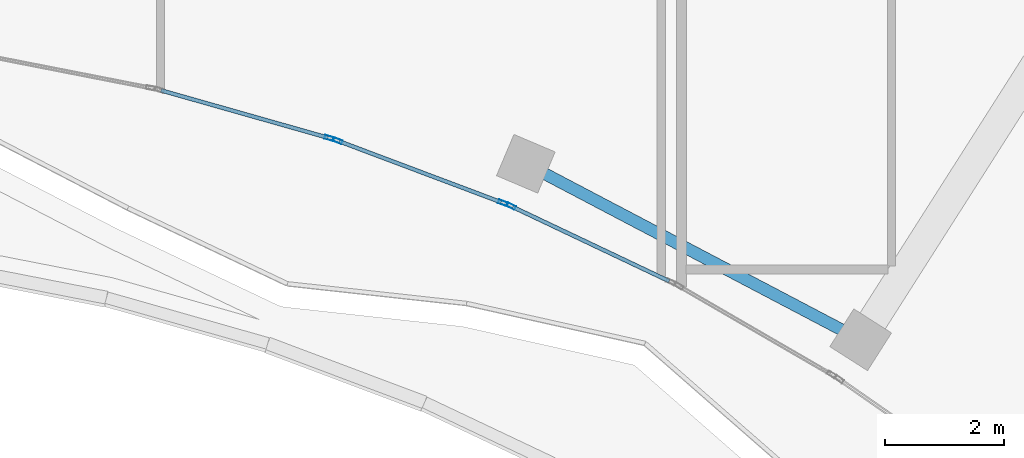
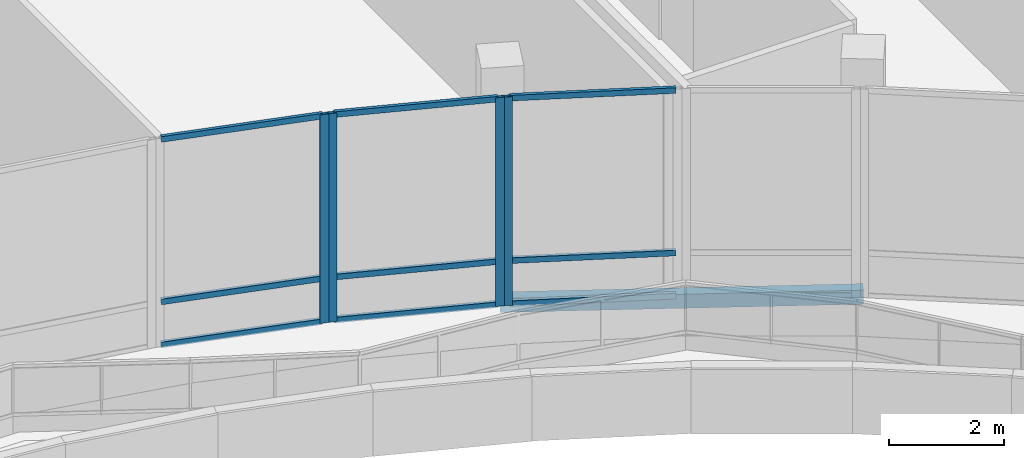
# One storey, part 103 of 168: 13 members, 1 beam, 3 elements without a shape of their own.
"""IFC4 building model written with IfcOpenShell, lengths in metres."""

from ifc_helpers import new_model, si_unit, direction, frame, origin, origin_2d, place, context, subcontext, project, spatial, hollow_rectangle, extrude, material, material_profile, profile_set, type_object, element, aggregate, save


model = new_model("IFC4")

# Units and contexts
model_context = context("Model", 3, precision=1e-05, world=origin(), true_north=direction((0.0, 1.0)))
body_context = subcontext(model_context, "Body", "Model", "MODEL_VIEW")
ifc_project = project(units=[si_unit("LENGTHUNIT", "METRE"), si_unit("AREAUNIT", "SQUARE_METRE"), si_unit("VOLUMEUNIT", "CUBIC_METRE"), si_unit("PLANEANGLEUNIT", "RADIAN"), si_unit("MASSUNIT", "GRAM", prefix="KILO")], contexts=[model_context])

# Site, building, storey
site_placement = place(None, origin())
site = spatial("IfcSite", under=ifc_project, at=site_placement, CompositionType="ELEMENT")
building_placement = place(site_placement, origin())
building = spatial("IfcBuilding", under=site, at=building_placement, Name="Selatvlak General Hospital", CompositionType="ELEMENT")
storey_placement = place(building_placement, frame((0.0, 0.0, 5.39990234375)))
storey = spatial("IfcBuildingStorey", under=building, at=storey_placement, Name="L01", CompositionType="ELEMENT", Elevation=5.39990234375)

# Beam
ifc_material_1 = material(Name="Steel S355", Category="steel")
ifc_material_profile_1 = material_profile(ifc_material_1, hollow_rectangle(XDim=0.199951171875, YDim=0.300048828125, WallThickness=0.011962890625, at=origin_2d()), Name="RHS 300x200x12")
ifc_profile_set_1 = profile_set([ifc_material_profile_1], Name="Steel S355")
beam_type = type_object("IfcBeamType", Name="BM-SP3", PredefinedType="SPANDREL", material=ifc_profile_set_1)
beam_placement = place(storey_placement, frame((154.927978515625, 51.716064453125, -0.469970703125), z_axis=(0.885186813572, -0.46523575215, 0.0), x_axis=(0.46523575215, 0.885186813572, 0.0)))
element("IfcBeam", 1, at=beam_placement, inside=storey, type_object=beam_type, Name="Beam BMR-L01-0765", PredefinedType="SPANDREL", context=body_context, shape_type="SweptSolid", body=[
    extrude(hollow_rectangle(XDim=0.199951171875, YDim=0.300048828125, WallThickness=0.011962890625, at=origin_2d()), origin(), (0.0, 0.0, 1.0), 6.345458984375),
])

# Curtain wall, member
ifc_material_2 = material(Name="Solar-control Low-E double glazing", Category="glass")
curtain_wall_type_1 = type_object("IfcCurtainWallType", Name="CW-CW-01", PredefinedType="USERDEFINED", material=ifc_material_2)
curtain_wall_1_placement = place(storey_placement, origin())
curtain_wall_1 = element("IfcCurtainWall", 2, at=curtain_wall_1_placement, inside=storey, type_object=curtain_wall_type_1, Name="Glazed facade curtain wall CW-L01-0147", ObjectType="UNITISED CURTAIN WALL", PredefinedType="USERDEFINED")
ifc_material_3 = material(Name="Dark anodised aluminium mullion", Category="aluminium")
ifc_material_profile_2 = material_profile(ifc_material_3, hollow_rectangle(XDim=0.06494140625, YDim=0.159912109375, WallThickness=0.00390625, at=origin_2d()), Name="AL-MUL 65x160x4")
ifc_profile_set_2 = profile_set([ifc_material_profile_2], Name="Dark anodised aluminium mullion")
member_type_1 = type_object("IfcMemberType", Name="CWM-01", PredefinedType="MULLION", material=ifc_profile_set_2)
member_1_placement = place(storey_placement, frame((154.680419921875, 51.005126953125, 0.0), z_axis=(0.0, 0.0, 1.0), x_axis=(-0.428525558966, -0.903529659343, 0.0)))
member_1 = element("IfcMember", 3, at=member_1_placement, type_object=member_type_1, Name="CW-01 mullion 2", PredefinedType="MULLION", context=body_context, shape_type="SweptSolid", body=[
    extrude(hollow_rectangle(XDim=0.06494140625, YDim=0.159912109375, WallThickness=0.00390625, at=origin_2d()), origin(), (0.0, 0.0, 1.0), 4.445068359375),
])

# Curtain wall, members
curtain_wall_type_2 = type_object("IfcCurtainWallType", Name="CW-CW-02", PredefinedType="USERDEFINED", material=ifc_material_2)
curtain_wall_2_placement = place(storey_placement, origin())
curtain_wall_2 = element("IfcCurtainWall", 4, at=curtain_wall_2_placement, inside=storey, type_object=curtain_wall_type_2, Name="Glazed facade curtain wall CW-L01-0148", ObjectType="UNITISED CURTAIN WALL", PredefinedType="USERDEFINED")
member_2_placement = place(storey_placement, frame((154.545654296875, 51.059326171875, 0.0), z_axis=(0.0, 0.0, 1.0), x_axis=(-0.352027174905, -0.935989779927, 0.0)))
member_2 = element("IfcMember", 5, at=member_2_placement, type_object=member_type_1, Name="CW-02 mullion 1", PredefinedType="MULLION", context=body_context, shape_type="SweptSolid", body=[
    extrude(hollow_rectangle(XDim=0.06494140625, YDim=0.159912109375, WallThickness=0.00390625, at=origin_2d()), origin(), (0.0, 0.0, 1.0), 4.445068359375),
])
member_3_placement = place(storey_placement, frame((151.76953125, 52.103515625, 0.0), z_axis=(0.0, 0.0, 1.0), x_axis=(-0.352027174905, -0.935989779927, 0.0)))
member_3 = element("IfcMember", 6, at=member_3_placement, type_object=member_type_1, Name="CW-02 mullion 2", PredefinedType="MULLION", context=body_context, shape_type="SweptSolid", body=[
    extrude(hollow_rectangle(XDim=0.06494140625, YDim=0.159912109375, WallThickness=0.00390625, at=origin_2d()), origin(), (0.0, 0.0, 1.0), 4.445068359375),
])

# Curtain wall, member
curtain_wall_3_placement = place(storey_placement, origin())
curtain_wall_3 = element("IfcCurtainWall", 7, at=curtain_wall_3_placement, inside=storey, type_object=curtain_wall_type_1, Name="Glazed facade curtain wall CW-L01-0149", ObjectType="UNITISED CURTAIN WALL", PredefinedType="USERDEFINED")
member_4_placement = place(storey_placement, frame((151.6318359375, 52.14697265625, 0.0), z_axis=(0.0, 0.0, 1.0), x_axis=(-0.272846888748, -0.962057469853, 0.0)))
member_4 = element("IfcMember", 8, at=member_4_placement, type_object=member_type_1, Name="CW-01 mullion 1", PredefinedType="MULLION", context=body_context, shape_type="SweptSolid", body=[
    extrude(hollow_rectangle(XDim=0.06494140625, YDim=0.159912109375, WallThickness=0.00390625, at=origin_2d()), origin(), (0.0, 0.0, 1.0), 4.445068359375),
])

# Member
ifc_material_profile_3 = material_profile(ifc_material_3, hollow_rectangle(XDim=0.06494140625, YDim=0.1201171875, WallThickness=0.00390625, at=origin_2d()), Name="AL-TRN 65x120x4")
ifc_profile_set_3 = profile_set([ifc_material_profile_3], Name="Dark anodised aluminium mullion")
member_type_2 = type_object("IfcMemberType", Name="CWT-01", PredefinedType="USERDEFINED", material=ifc_profile_set_3)
member_5_placement = place(storey_placement, frame((157.333251953125, 49.746826171875, 0.03271484375), z_axis=(-0.903516867621, 0.42855252878, 0.0), x_axis=(-0.42855252878, -0.903516867621, 0.0)))
member_5 = element("IfcMember", 9, at=member_5_placement, type_object=member_type_2, Name="CW-01 transom 1.1", ObjectType="TRANSOM", PredefinedType="USERDEFINED", context=body_context, shape_type="SweptSolid", body=[
    extrude(hollow_rectangle(XDim=0.06494140625, YDim=0.1201171875, WallThickness=0.00390625, at=origin_2d()), origin(), (0.0, 0.0, 1.0), 2.90380859375),
])

member_6_placement = place(storey_placement, frame((157.333251953125, 49.746826171875, 0.9501953125), z_axis=(-0.903516867621, 0.42855252878, 0.0), x_axis=(-0.42855252878, -0.903516867621, 0.0)))
member_6 = element("IfcMember", 10, at=member_6_placement, type_object=member_type_2, Name="CW-01 transom 1.2", ObjectType="TRANSOM", PredefinedType="USERDEFINED", context=body_context, shape_type="SweptSolid", body=[
    extrude(hollow_rectangle(XDim=0.06494140625, YDim=0.1201171875, WallThickness=0.00390625, at=origin_2d()), origin(), (0.0, 0.0, 1.0), 2.90380859375),
])

member_7_placement = place(storey_placement, frame((157.333251953125, 49.746826171875, 4.41259765625), z_axis=(-0.903516867621, 0.42855252878, 0.0), x_axis=(-0.42855252878, -0.903516867621, 0.0)))
member_7 = element("IfcMember", 11, at=member_7_placement, type_object=member_type_2, Name="CW-01 transom 1.3", ObjectType="TRANSOM", PredefinedType="USERDEFINED", context=body_context, shape_type="SweptSolid", body=[
    extrude(hollow_rectangle(XDim=0.06494140625, YDim=0.1201171875, WallThickness=0.00390625, at=origin_2d()), origin(), (0.0, 0.0, 1.0), 2.90380859375),
])

aggregate(curtain_wall_1, [member_1, member_5, member_6, member_7])

member_8_placement = place(storey_placement, frame((154.51513671875, 51.07080078125, 0.03271484375), z_axis=(-0.935989809252, 0.352027096934, 0.0), x_axis=(-0.352027096934, -0.935989809252, 0.0)))
member_8 = element("IfcMember", 12, at=member_8_placement, type_object=member_type_2, Name="CW-02 transom 1.1", ObjectType="TRANSOM", PredefinedType="USERDEFINED", context=body_context, shape_type="SweptSolid", body=[
    extrude(hollow_rectangle(XDim=0.06494140625, YDim=0.1201171875, WallThickness=0.00390625, at=origin_2d()), origin(), (0.0, 0.0, 1.0), 2.901123046875),
])

member_9_placement = place(storey_placement, frame((154.51513671875, 51.07080078125, 0.9501953125), z_axis=(-0.935989809252, 0.352027096934, 0.0), x_axis=(-0.352027096934, -0.935989809252, 0.0)))
member_9 = element("IfcMember", 13, at=member_9_placement, type_object=member_type_2, Name="CW-02 transom 1.2", ObjectType="TRANSOM", PredefinedType="USERDEFINED", context=body_context, shape_type="SweptSolid", body=[
    extrude(hollow_rectangle(XDim=0.06494140625, YDim=0.1201171875, WallThickness=0.00390625, at=origin_2d()), origin(), (0.0, 0.0, 1.0), 2.901123046875),
])

member_10_placement = place(storey_placement, frame((154.51513671875, 51.07080078125, 4.41259765625), z_axis=(-0.935989809252, 0.352027096934, 0.0), x_axis=(-0.352027096934, -0.935989809252, 0.0)))
member_10 = element("IfcMember", 14, at=member_10_placement, type_object=member_type_2, Name="CW-02 transom 1.3", ObjectType="TRANSOM", PredefinedType="USERDEFINED", context=body_context, shape_type="SweptSolid", body=[
    extrude(hollow_rectangle(XDim=0.06494140625, YDim=0.1201171875, WallThickness=0.00390625, at=origin_2d()), origin(), (0.0, 0.0, 1.0), 2.901123046875),
])

aggregate(curtain_wall_2, [member_2, member_3, member_8, member_9, member_10])

member_11_placement = place(storey_placement, frame((151.6005859375, 52.15576171875, 0.03271484375), z_axis=(-0.962061954442, 0.272831075604, 0.0), x_axis=(-0.272831075604, -0.962061954442, 0.0)))
member_11 = element("IfcMember", 15, at=member_11_placement, type_object=member_type_2, Name="CW-01 transom 1.1", ObjectType="TRANSOM", PredefinedType="USERDEFINED", context=body_context, shape_type="SweptSolid", body=[
    extrude(hollow_rectangle(XDim=0.06494140625, YDim=0.1201171875, WallThickness=0.00390625, at=origin_2d()), origin(), (0.0, 0.0, 1.0), 2.901123046875),
])

member_12_placement = place(storey_placement, frame((151.6005859375, 52.15576171875, 0.9501953125), z_axis=(-0.962061954442, 0.272831075604, 0.0), x_axis=(-0.272831075604, -0.962061954442, 0.0)))
member_12 = element("IfcMember", 16, at=member_12_placement, type_object=member_type_2, Name="CW-01 transom 1.2", ObjectType="TRANSOM", PredefinedType="USERDEFINED", context=body_context, shape_type="SweptSolid", body=[
    extrude(hollow_rectangle(XDim=0.06494140625, YDim=0.1201171875, WallThickness=0.00390625, at=origin_2d()), origin(), (0.0, 0.0, 1.0), 2.901123046875),
])

member_13_placement = place(storey_placement, frame((151.6005859375, 52.15576171875, 4.41259765625), z_axis=(-0.962061954442, 0.272831075604, 0.0), x_axis=(-0.272831075604, -0.962061954442, 0.0)))
member_13 = element("IfcMember", 17, at=member_13_placement, type_object=member_type_2, Name="CW-01 transom 1.3", ObjectType="TRANSOM", PredefinedType="USERDEFINED", context=body_context, shape_type="SweptSolid", body=[
    extrude(hollow_rectangle(XDim=0.06494140625, YDim=0.1201171875, WallThickness=0.00390625, at=origin_2d()), origin(), (0.0, 0.0, 1.0), 2.901123046875),
])

aggregate(curtain_wall_3, [member_4, member_11, member_12, member_13])

save(model, "model.ifc")
